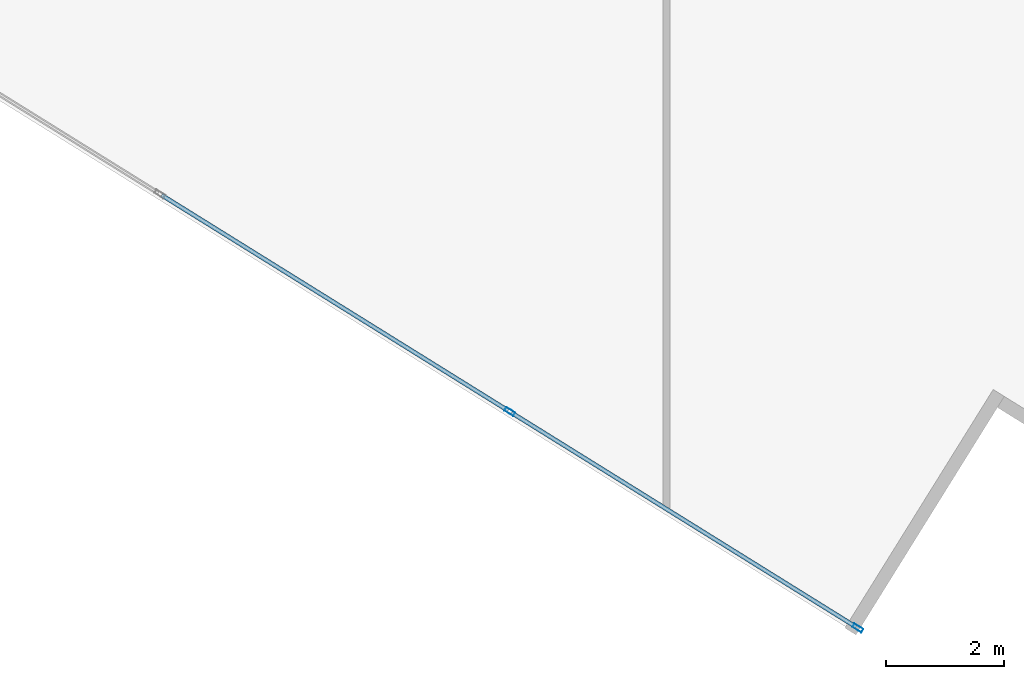
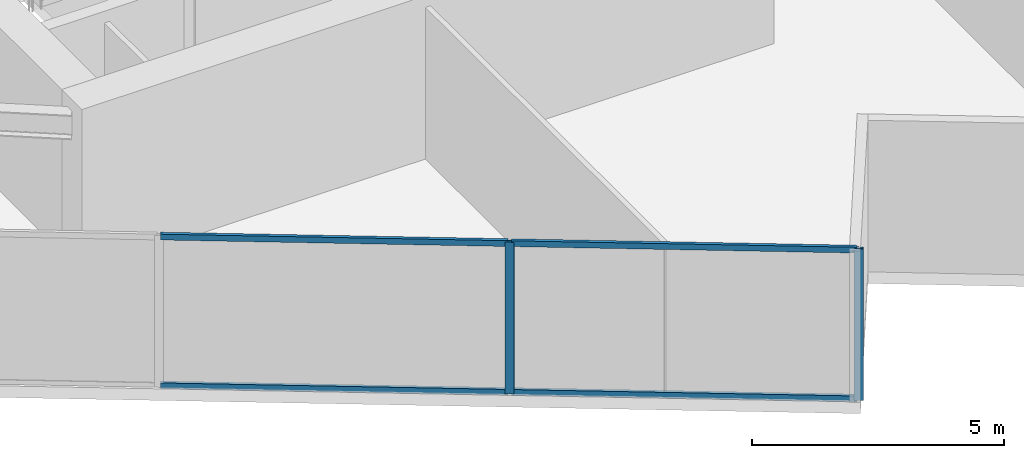
# One storey, part 3 of 25: 6 members, 1 element without a shape of its own.
"""IFC4 building model written with IfcOpenShell, lengths in metres."""

from ifc_helpers import new_model, si_unit, direction, frame, origin, origin_2d, place, context, subcontext, project, spatial, hollow_rectangle, extrude, source, transform, mapped, material, material_profile, profile_set, type_object, type_shapes, element, aggregate, save


model = new_model("IFC4")

# Units and contexts
model_context = context("Model", 3, precision=1e-05, world=origin(), true_north=direction((0.0, 1.0)))
body_context = subcontext(model_context, "Body", "Model", "MODEL_VIEW")
ifc_project = project(units=[si_unit("LENGTHUNIT", "METRE"), si_unit("AREAUNIT", "SQUARE_METRE"), si_unit("VOLUMEUNIT", "CUBIC_METRE"), si_unit("PLANEANGLEUNIT", "RADIAN"), si_unit("MASSUNIT", "GRAM", prefix="KILO")], contexts=[model_context])

# Site, building, storey
site_placement = place(None, origin())
site = spatial("IfcSite", under=ifc_project, at=site_placement, CompositionType="ELEMENT")
building_placement = place(site_placement, origin())
building = spatial("IfcBuilding", under=site, at=building_placement, Name="Krantzveldt Concourse Tower", CompositionType="ELEMENT")
storey_placement = place(building_placement, frame((0.0, 0.0, 177.800048828125)))
storey = spatial("IfcBuildingStorey", under=building, at=storey_placement, Name="L43", CompositionType="ELEMENT", Elevation=177.800048828125)

# Curtain wall, members
ifc_material = material(Name="Anodised aluminium 6063-T6", Category="aluminium")
curtain_wall_type = type_object("IfcCurtainWallType", Name="CW3", PredefinedType="USERDEFINED", material=ifc_material)
curtain_wall_placement = place(storey_placement, origin())
curtain_wall = element("IfcCurtainWall", 1, at=curtain_wall_placement, inside=storey, type_object=curtain_wall_type, Name="CW-L43-F04", ObjectType="UNITISED CURTAIN WALL", PredefinedType="USERDEFINED")
ifc_material_profile_1 = material_profile(ifc_material, hollow_rectangle(XDim=0.070068359375, YDim=0.179931640625, WallThickness=0.0048828125, at=origin_2d()), Name="Anodised aluminium 6063-T6", Category="aluminium")
ifc_profile_set_1 = profile_set([ifc_material_profile_1], Name="Anodised aluminium 6063-T6 - ALU-MULL 180x70x5")
member_type_1 = type_object("IfcMemberType", Name="CW-MUL-180", PredefinedType="MULLION", material=ifc_profile_set_1)
shared_shape_1 = source(origin(), body_context, "Body", "SweptSolid", [
    extrude(hollow_rectangle(XDim=0.070068359375, YDim=0.179931640625, WallThickness=0.0048828125, at=origin_2d()), origin(), (0.0, 0.0, 1.0), 3.669921875),
])
type_shapes(member_type_1, [shared_shape_1])
member_1_placement = place(storey_placement, frame((33.3486328125, 2.665771484375, 0.0), z_axis=(0.0, 0.0, 1.0), x_axis=(0.528067901977, 0.84920214961, 0.0)))
member_1 = element("IfcMember", 2, at=member_1_placement, type_object=member_type_1, Name="CW-Z34 mullion 5", PredefinedType="MULLION", context=body_context, shape_type="MappedRepresentation", body=[
    mapped(shared_shape_1, transform((0.0, 0.0, 0.0), x_axis=(1.0, 0.0, 0.0), y_axis=(0.0, 1.0, 0.0), z_axis=(0.0, 0.0, 1.0), scale=1.0)),
])
member_2_placement = place(storey_placement, frame((39.229248046875, -0.990966796875, 0.0), z_axis=(0.0, 0.0, 1.0), x_axis=(0.528067901977, 0.84920214961, 0.0)))
member_2 = element("IfcMember", 3, at=member_2_placement, type_object=member_type_1, Name="CW-Z34 mullion 6", PredefinedType="MULLION", context=body_context, shape_type="MappedRepresentation", body=[
    mapped(shared_shape_1, transform((0.0, 0.0, 0.0), x_axis=(1.0, 0.0, 0.0), y_axis=(0.0, 1.0, 0.0), z_axis=(0.0, 0.0, 1.0), scale=1.0)),
])
ifc_material_profile_2 = material_profile(ifc_material, hollow_rectangle(XDim=0.070068359375, YDim=0.139892578125, WallThickness=0.0048828125, at=origin_2d()), Name="Anodised aluminium 6063-T6", Category="aluminium")
ifc_profile_set_2 = profile_set([ifc_material_profile_2], Name="Anodised aluminium 6063-T6 - ALU-TRAN 140x70x5")
member_type_2 = type_object("IfcMemberType", Name="CW-TRN-150", PredefinedType="USERDEFINED", material=ifc_profile_set_2)
shared_shape_2 = source(origin(), body_context, "Body", "SweptSolid", [
    extrude(hollow_rectangle(XDim=0.070068359375, YDim=0.139892578125, WallThickness=0.0048828125, at=origin_2d()), origin(), (0.0, 0.0, 1.0), 6.85498046875),
])
member_3_placement = place(storey_placement, frame((33.378173828125, 2.6474609375, 0.034912109375), z_axis=(0.849204609246, -0.52806394654, 0.0), x_axis=(0.52806394654, 0.849204609246, 0.0)))
member_3 = element("IfcMember", 4, at=member_3_placement, type_object=member_type_2, Name="CW-Z34 transom 5.1", ObjectType="TRANSOM", PredefinedType="USERDEFINED", context=body_context, shape_type="MappedRepresentation", body=[
    mapped(shared_shape_2, transform((0.0, 0.0, 0.0), x_axis=(1.0, 0.0, 0.0), y_axis=(0.0, 1.0, 0.0), z_axis=(0.0, 0.0, 1.0), scale=1.0)),
])
member_4_placement = place(storey_placement, frame((33.378173828125, 2.6474609375, 3.635009765625), z_axis=(0.849204609246, -0.52806394654, 0.0), x_axis=(0.52806394654, 0.849204609246, 0.0)))
member_4 = element("IfcMember", 5, at=member_4_placement, type_object=member_type_2, Name="CW-Z34 transom 5.2", ObjectType="TRANSOM", PredefinedType="USERDEFINED", context=body_context, shape_type="MappedRepresentation", body=[
    mapped(shared_shape_2, transform((0.0, 0.0, 0.0), x_axis=(1.0, 0.0, 0.0), y_axis=(0.0, 1.0, 0.0), z_axis=(0.0, 0.0, 1.0), scale=1.0)),
])
shared_shape_3 = source(origin(), body_context, "Body", "SweptSolid", [
    extrude(hollow_rectangle(XDim=0.070068359375, YDim=0.139892578125, WallThickness=0.0048828125, at=origin_2d()), origin(), (0.0, 0.0, 1.0), 6.89013671875),
])
type_shapes(member_type_2, [shared_shape_2, shared_shape_3])
member_5_placement = place(storey_placement, frame((27.4677734375, 6.32275390625, 0.034912109375), z_axis=(0.849202443437, -0.528067429464, 0.0), x_axis=(0.528067429464, 0.849202443437, 0.0)))
member_5 = element("IfcMember", 6, at=member_5_placement, type_object=member_type_2, Name="CW-Z34 transom 4.1", ObjectType="TRANSOM", PredefinedType="USERDEFINED", context=body_context, shape_type="MappedRepresentation", body=[
    mapped(shared_shape_3, transform((0.0, 0.0, 0.0), x_axis=(1.0, 0.0, 0.0), y_axis=(0.0, 1.0, 0.0), z_axis=(0.0, 0.0, 1.0), scale=1.0)),
])
member_6_placement = place(storey_placement, frame((27.4677734375, 6.32275390625, 3.635009765625), z_axis=(0.849202443437, -0.528067429464, 0.0), x_axis=(0.528067429464, 0.849202443437, 0.0)))
member_6 = element("IfcMember", 7, at=member_6_placement, type_object=member_type_2, Name="CW-Z34 transom 4.2", ObjectType="TRANSOM", PredefinedType="USERDEFINED", context=body_context, shape_type="MappedRepresentation", body=[
    mapped(shared_shape_3, transform((0.0, 0.0, 0.0), x_axis=(1.0, 0.0, 0.0), y_axis=(0.0, 1.0, 0.0), z_axis=(0.0, 0.0, 1.0), scale=1.0)),
])
aggregate(curtain_wall, [member_1, member_2, member_5, member_6, member_3, member_4])

save(model, "model.ifc")
